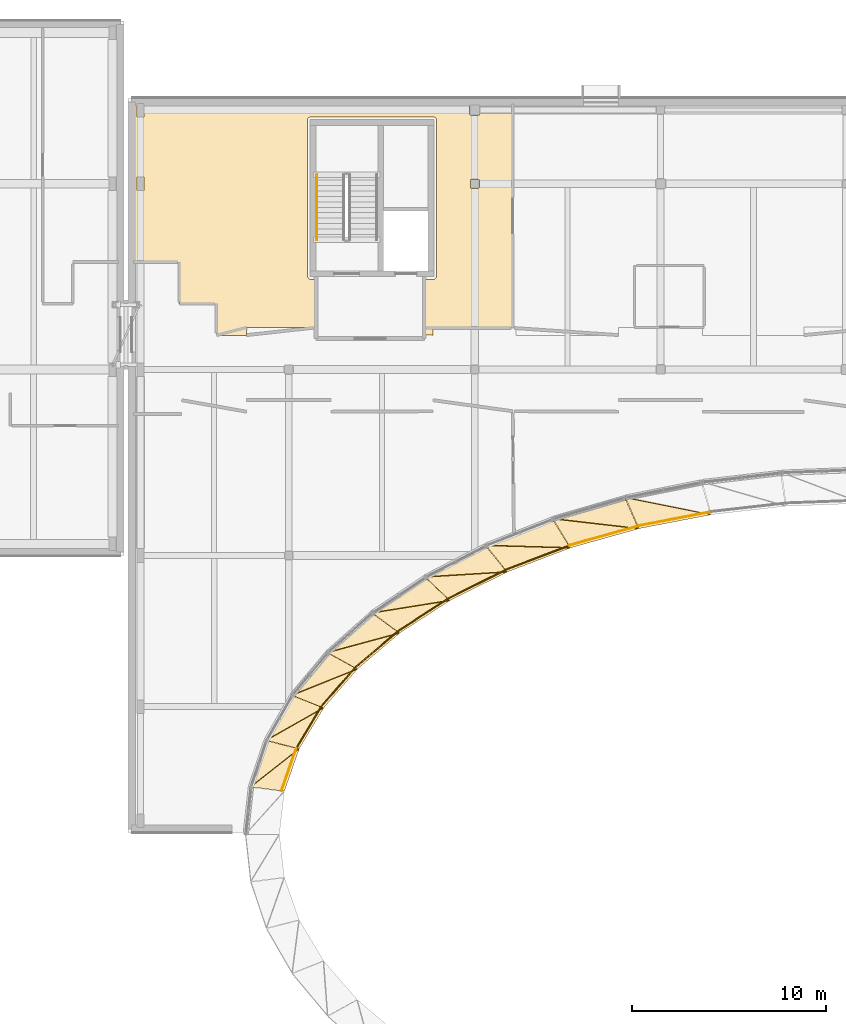
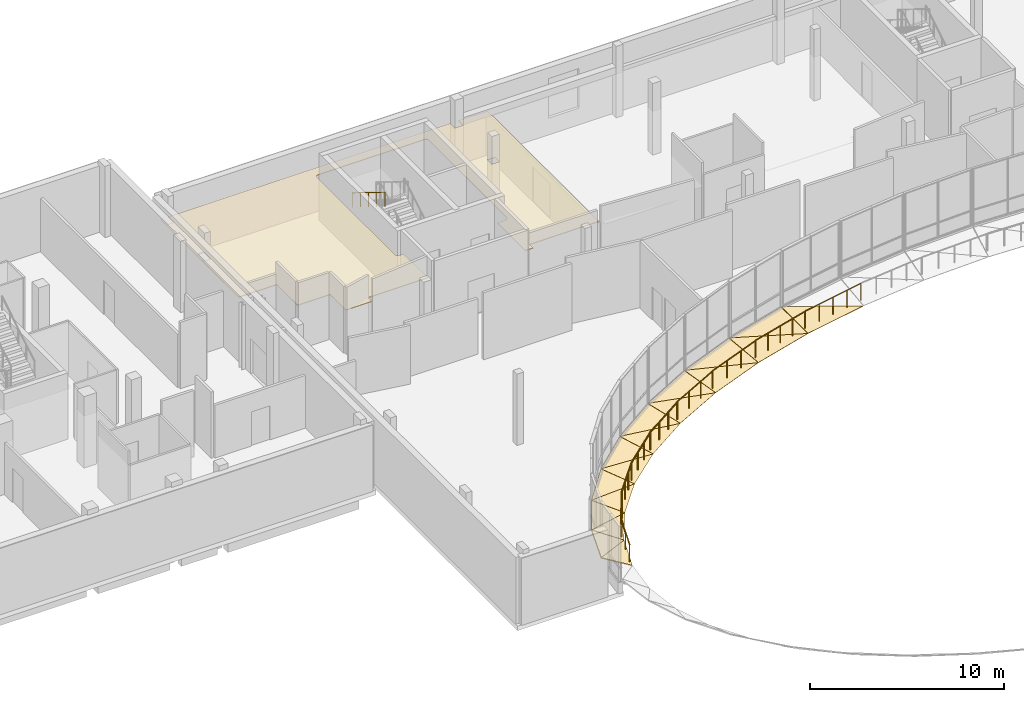
# One storey, part 33 of 41: 18 coverings, 10 railings.
"""IFC4 building model written with IfcOpenShell, lengths in metres."""

import ifcopenshell
import ifcopenshell.guid

model = None  # the IFC model being written
_history = None  # IfcOwnerHistory: only IFC2X3 demands one
_inside = {}  # id of a spatial element -> (the spatial element, [elements in it])
_under = {}  # id of a project, library or spatial element -> (it, [spatial elements below it])
_declared = {}  # id of a project -> (the project, [libraries it declares])
_typed = {}  # id of a type object -> (the type object, [elements of that type])
_made_of = {}  # id of a material, layer set ... -> (it, [elements and type objects made of it])


def new_model(schema):
    """Start an empty IFC model of exactly this schema.

    Asked for "IFC4X3", IfcOpenShell would pick the latest addendum, in which some entities
    have other attributes; the version numbers below select the first issue.
    IFC2X3 requires an IfcOwnerHistory on every rooted entity: one is made here for all.
    """
    global model, _history
    if schema == "IFC4X3":
        model = ifcopenshell.file(schema_version=(4, 3, 0, 0))
    else:
        model = ifcopenshell.file(schema=schema)
    _inside.clear()
    _under.clear()
    _declared.clear()
    _typed.clear()
    _made_of.clear()
    _history = None
    if model.schema == "IFC2X3":
        org = make("IfcOrganization", Name="unknown")
        user = make(
            "IfcPersonAndOrganization",
            ThePerson=make("IfcPerson", FamilyName="unknown"),
            TheOrganization=org,
        )
        app = make(
            "IfcApplication",
            ApplicationDeveloper=org,
            Version="unknown",
            ApplicationFullName="unknown",
            ApplicationIdentifier="unknown",
        )
        _history = make(
            "IfcOwnerHistory",
            OwningUser=user,
            OwningApplication=app,
            ChangeAction="ADDED",
            CreationDate=0,
        )
    return model


def make(cls, **values):
    """One entity of the class cls with the attributes given. An attribute that is None is left unset."""
    return model.create_entity(
        cls, **{name: value for name, value in values.items() if value is not None}
    )


def rooted(cls, **values):
    """An entity with a GlobalId (a new one), such as an element, a storey or a relation."""
    return make(cls, GlobalId=ifcopenshell.guid.new(), OwnerHistory=_history, **values)


def si_unit(unit_type, name, prefix=None):
    """IfcSIUnit, for example si_unit("LENGTHUNIT", "METRE", prefix="MILLI")."""
    return make("IfcSIUnit", UnitType=unit_type, Prefix=prefix, Name=name)


def assignment(units):
    """IfcUnitAssignment: the units of a project."""
    return None if units is None else make("IfcUnitAssignment", Units=units)


def point(xyz):
    """IfcCartesianPoint."""
    return None if xyz is None else make("IfcCartesianPoint", Coordinates=xyz)


def direction(xyz):
    """IfcDirection."""
    return None if xyz is None else make("IfcDirection", DirectionRatios=xyz)


def frame(location, z_axis=None, x_axis=None):
    """IfcAxis2Placement3D, a coordinate frame: its origin and axes. An axis left out is left unset."""
    return make(
        "IfcAxis2Placement3D",
        Location=point(location),
        Axis=direction(z_axis),
        RefDirection=direction(x_axis),
    )


def frame_2d(location, x_axis=None):
    """IfcAxis2Placement2D, a coordinate frame in the plane: its origin and x axis."""
    return make(
        "IfcAxis2Placement2D", Location=point(location), RefDirection=direction(x_axis)
    )


def origin():
    """The frame at (0, 0, 0) with its axes left unset."""
    return frame((0.0, 0.0, 0.0))


def origin_2d():
    """The frame at (0, 0) in the plane with its x axis left unset."""
    return frame_2d((0.0, 0.0))


def place(relative_to, where):
    """IfcLocalPlacement: puts the frame where relative to a parent placement (None: the world)."""
    return make(
        "IfcLocalPlacement", PlacementRelTo=relative_to, RelativePlacement=where
    )


def context(
    kind, dimensions, precision=None, world=None, true_north=None, identifier=None
):
    """IfcGeometricRepresentationContext, for example the 3D "Model" context."""
    return make(
        "IfcGeometricRepresentationContext",
        ContextIdentifier=identifier,
        ContextType=kind,
        CoordinateSpaceDimension=dimensions,
        Precision=precision,
        WorldCoordinateSystem=world,
        TrueNorth=true_north,
    )


def subcontext(parent, identifier, kind, view, scale=None):
    """IfcGeometricRepresentationSubContext, for example "Body" below "Model"."""
    return make(
        "IfcGeometricRepresentationSubContext",
        ContextIdentifier=identifier,
        ContextType=kind,
        ParentContext=parent,
        TargetScale=scale,
        TargetView=view,
    )


def project(units=None, contexts=None):
    """IfcProject with its units and contexts."""
    return rooted(
        "IfcProject",
        Name="project",
        RepresentationContexts=contexts,
        UnitsInContext=assignment(units),
    )


def spatial(cls, under=None, at=None, **own):
    """A site, building, storey or space (cls), placed at a placement, below another one or the project."""
    s = rooted(cls, ObjectPlacement=at, **own)
    if under is not None:
        _under.setdefault(under.id(), (under, []))[1].append(s)
    return s


def polyline(points):
    """IfcPolyline through the points."""
    return make("IfcPolyline", Points=[point(p) for p in points])


def profile(cls, at=None, kind="AREA", **sizes):
    """A parametric profile (cls). Its sizes go by their IFC names, for example OverallWidth=200.0."""
    return make(cls, ProfileType=kind, Position=at, **sizes)


def circle(**sizes):
    """IfcCircleProfileDef."""
    return profile("IfcCircleProfileDef", **sizes)


def outline(outer, holes=None, kind="AREA"):
    """IfcArbitraryClosedProfileDef: a profile drawn as a closed curve; with holes, ...WithVoids."""
    if holes is None:
        return make("IfcArbitraryClosedProfileDef", ProfileType=kind, OuterCurve=outer)
    return make(
        "IfcArbitraryProfileDefWithVoids",
        ProfileType=kind,
        OuterCurve=outer,
        InnerCurves=holes,
    )


def extrude(swept, where, along, depth):
    """IfcExtrudedAreaSolid: the profile swept, set in the frame where, extruded along a direction by depth."""
    return make(
        "IfcExtrudedAreaSolid",
        SweptArea=swept,
        Position=where,
        ExtrudedDirection=direction(along),
        Depth=depth,
    )


def shape(context_of_items, identifier, shape_type, items):
    """IfcShapeRepresentation: the items that make up one representation, for example the "Body"."""
    return make(
        "IfcShapeRepresentation",
        ContextOfItems=context_of_items,
        RepresentationIdentifier=identifier,
        RepresentationType=shape_type,
        Items=items,
    )


def material(Name=None, Category=None):
    """IfcMaterial."""
    return make("IfcMaterial", Name=Name, Category=Category)


def layer(
    of_material, thickness, ventilated=None, Name=None, Category=None, Priority=None
):
    """IfcMaterialLayer: one layer of a wall or slab, of a material (None: an air gap)."""
    return make(
        "IfcMaterialLayer",
        Material=of_material,
        LayerThickness=thickness,
        IsVentilated=ventilated,
        Name=Name,
        Category=Category,
        Priority=Priority,
    )


def layer_set(layers, Name=None):
    """IfcMaterialLayerSet."""
    return make("IfcMaterialLayerSet", MaterialLayers=layers, LayerSetName=Name)


def made_of(thing, what):
    """Note that an element or type object is made of a material, layer set ...; save() writes the relation."""
    if what is not None:
        _made_of.setdefault(what.id(), (what, []))[1].append(thing)
    return thing


def type_object(cls, material=None, **own):
    """A type object (cls), such as IfcWallType, which elements share."""
    return made_of(rooted(cls, **own), material)


def element(
    cls,
    number,
    at=None,
    inside=None,
    cuts=None,
    type_object=None,
    material=None,
    context=None,
    identifier="Body",
    shape_type=None,
    held_by="IfcProductDefinitionShape",
    body=None,
    shapes=None,
    **own,
):
    """One element of the class cls, such as IfcWall. Its Tag is "e" and its number.

    at: its placement. inside: the storey or other place that contains it. cuts: it is an
    opening in that element (IfcRelVoidsElement). A single representation is given by context,
    identifier, shape_type and body (its items); several are given by shapes. held_by: the class
    of the entity that holds the representations. save() writes the other relations.
    """
    e = rooted(cls, Tag="e%d" % number, ObjectPlacement=at, **own)
    if body is not None:
        shapes = [shape(context, identifier, shape_type, body)]
    if shapes is not None:
        e.Representation = make(held_by, Representations=shapes)
    if inside is not None:
        _inside.setdefault(inside.id(), (inside, []))[1].append(e)
    if cuts is not None:
        rooted(
            "IfcRelVoidsElement", RelatingBuildingElement=cuts, RelatedOpeningElement=e
        )
    if type_object is not None:
        _typed.setdefault(type_object.id(), (type_object, []))[1].append(e)
    return made_of(e, material)


def aggregate(whole, parts):
    """IfcRelAggregates: a whole, such as a stair, and the parts it consists of."""
    return rooted("IfcRelAggregates", RelatingObject=whole, RelatedObjects=parts)


def save(model, path):
    """Write the relations noted so far, then the file.

    IfcRelAggregates (storeys below a building ...), IfcRelContainedInSpatialStructure (elements
    in a storey), IfcRelDefinesByType, IfcRelAssociatesMaterial and IfcRelDeclares: one each for
    every whole, place, type object, material and project.
    """
    for whole, parts in _under.values():
        aggregate(whole, parts)
    for where, things in _inside.values():
        rooted(
            "IfcRelContainedInSpatialStructure",
            RelatedElements=things,
            RelatingStructure=where,
        )
    for kind, things in _typed.values():
        rooted("IfcRelDefinesByType", RelatedObjects=things, RelatingType=kind)
    for what, things in _made_of.values():
        rooted("IfcRelAssociatesMaterial", RelatedObjects=things, RelatingMaterial=what)
    for by, libraries in _declared.values():
        rooted("IfcRelDeclares", RelatingContext=by, RelatedDefinitions=libraries)
    model.write(path)


model = new_model("IFC4")

# Units and contexts
model_context = context("Model", 3, precision=1e-05, world=origin(), true_north=direction((0.0, 1.0)))
body_context = subcontext(model_context, "Body", "Model", "MODEL_VIEW")
ifc_project = project(units=[si_unit("LENGTHUNIT", "METRE"), si_unit("AREAUNIT", "SQUARE_METRE"), si_unit("VOLUMEUNIT", "CUBIC_METRE"), si_unit("PLANEANGLEUNIT", "RADIAN"), si_unit("MASSUNIT", "GRAM", prefix="KILO")], contexts=[model_context])

# Site, building, storey
site_placement = place(None, origin())
site = spatial("IfcSite", under=ifc_project, at=site_placement, CompositionType="ELEMENT")
building_placement = place(site_placement, origin())
building = spatial("IfcBuilding", under=site, at=building_placement, Name="Mzevani Central Library", CompositionType="ELEMENT")
storey_placement = place(building_placement, frame((0.0, 0.0, 13.800048828125)))
storey = spatial("IfcBuildingStorey", under=building, at=storey_placement, Name="L03", CompositionType="ELEMENT", Elevation=13.800048828125)

# Coverings
ifc_material_1 = material(Name="Limestone ashlar cladding", Category="masonry")
ifc_layer_1 = layer(ifc_material_1, 0.050048828125, Name="Limestone Ashlar Spandrel Cladding")
ifc_layer_set_1 = layer_set([ifc_layer_1], Name="Limestone ashlar cladding")
covering_type_1 = type_object("IfcCoveringType", Name="Limestone Ashlar Spandrel Cladding", PredefinedType="CLADDING", material=ifc_layer_set_1)
covering_1_placement = place(storey_placement, frame((76.1943359375, 92.501220703125, -0.280029296875), z_axis=(0.092995480464, -0.483068673264, 0.870629942929), x_axis=(-0.981969613273, -0.189038828311, 0.0)))
element("IfcCovering", 1, at=covering_1_placement, inside=storey, type_object=covering_type_1, Name="L03 Curved Court Spandrel Apron 15A", PredefinedType="CLADDING", context=body_context, shape_type="SweptSolid", body=[
    extrude(outline(polyline([(0.0, 0.0), (3.784048164297047, 1.1102230246251565e-16), (4.153878148929162, -1.9513839806363862), (0.0, 0.0)])), origin(), (0.0, 0.0, -1.0), 0.06005859375),
])
covering_2_placement = place(storey_placement, frame((72.467041015625, 91.777587890625, -0.280029296875), z_axis=(0.133824118944, -0.478593028702, 0.867778668824), x_axis=(-0.963059013097, -0.269290432977, 0.0)))
element("IfcCovering", 2, at=covering_2_placement, inside=storey, type_object=covering_type_1, Name="L03 Curved Court Spandrel Apron 16A", PredefinedType="CLADDING", context=body_context, shape_type="SweptSolid", body=[
    extrude(outline(polyline([(0.0, 0.0), (3.6545333174156096, 1.1102230246251565e-16), (4.111864521082761, -1.9317018377535362), (0.0, 0.0)])), origin(), (0.0, 0.0, -1.0), 0.06005859375),
])
covering_3_placement = place(storey_placement, frame((72.467041015625, 91.777587890625, -0.280029296875), z_axis=(0.136101685911, -0.468503286982, 0.872915231382), x_axis=(-0.971026041643, 0.111617747993, 0.211305240785)))
element("IfcCovering", 3, at=covering_3_placement, inside=storey, type_object=covering_type_1, Name="L03 Curved Court Spandrel Apron 16B", PredefinedType="CLADDING", context=body_context, shape_type="SweptSolid", body=[
    extrude(outline(polyline([(0.0, 0.0), (4.54300581440521, -5.551115123125783e-17), (1.0635835658908388, -1.671952262969131), (0.0, 0.0)])), origin(), (0.0, 0.0, -1.0), 0.06005859375),
])
covering_4_placement = place(storey_placement, frame((68.93896484375, 90.784912109375, -0.280029296875), z_axis=(0.177819896106, -0.469270357733, 0.864965557639), x_axis=(-0.93511588963, -0.354342028217, 0.0)))
element("IfcCovering", 4, at=covering_4_placement, inside=storey, type_object=covering_type_1, Name="L03 Curved Court Spandrel Apron 17A", PredefinedType="CLADDING", context=body_context, shape_type="SweptSolid", body=[
    extrude(outline(polyline([(0.0, 0.0), (3.4890812450952597, 0.0), (4.017907647982616, -1.912915894403973), (0.0, 0.0)])), origin(), (0.0, 0.0, -1.0), 0.06005859375),
])
covering_5_placement = place(storey_placement, frame((68.93896484375, 90.784912109375, -0.280029296875), z_axis=(0.179619288638, -0.456408073312, 0.871451996248), x_axis=(-0.976060622172, 0.027760478603, 0.215719766533)))
element("IfcCovering", 5, at=covering_5_placement, inside=storey, type_object=covering_type_1, Name="L03 Curved Court Spandrel Apron 17B", PredefinedType="CLADDING", context=body_context, shape_type="SweptSolid", body=[
    extrude(outline(polyline([(0.0, 0.0), (4.450036975889139, 5.551115123125783e-17), (1.1330906070274336, -1.6243768305829496), (0.0, 0.0)])), origin(), (0.0, 0.0, -1.0), 0.06005859375),
])
covering_6_placement = place(storey_placement, frame((65.669921875, 89.540283203125, -0.280029296875), z_axis=(0.225244777908, -0.452925647424, 0.862625728767), x_axis=(-0.89538829801, -0.44528619537, 0.0)))
element("IfcCovering", 6, at=covering_6_placement, inside=storey, type_object=covering_type_1, Name="L03 Curved Court Spandrel Apron 18A", PredefinedType="CLADDING", context=body_context, shape_type="SweptSolid", body=[
    extrude(outline(polyline([(0.0, 0.0), (3.2951507850640365, -2.220446049250313e-16), (3.8757100888285034, -1.8977458990736256), (0.0, 0.0)])), origin(), (0.0, 0.0, -1.0), 0.06005859375),
])
covering_7_placement = place(storey_placement, frame((65.669921875, 89.540283203125, -0.280029296875), z_axis=(0.226047363578, -0.437620819922, 0.870281912595), x_axis=(-0.973080371655, -0.060251778826, 0.222450698916)))
element("IfcCovering", 7, at=covering_7_placement, inside=storey, type_object=covering_type_1, Name="L03 Curved Court Spandrel Apron 18B", PredefinedType="CLADDING", context=body_context, shape_type="SweptSolid", body=[
    extrude(outline(polyline([(0.0, 0.0), (4.3153873742802995, 0.0), (1.19466093468567, -1.579683702653388), (0.0, 0.0)])), origin(), (0.0, 0.0, -1.0), 0.06005859375),
])
covering_8_placement = place(storey_placement, frame((62.715087890625, 88.065185546875, -0.280029296875), z_axis=(0.275849885352, -0.426595226172, 0.861349727903), x_axis=(-0.839733807204, -0.54299828088, 0.0)))
element("IfcCovering", 8, at=covering_8_placement, inside=storey, type_object=covering_type_1, Name="L03 Curved Court Spandrel Apron 19A", PredefinedType="CLADDING", context=body_context, shape_type="SweptSolid", body=[
    extrude(outline(polyline([(0.0, 0.0), (3.081217311430392, -2.220446049250313e-16), (3.689706456503497, -1.8896405851684765), (0.0, 0.0)])), origin(), (0.0, 0.0, -1.0), 0.06005859375),
])
covering_9_placement = place(storey_placement, frame((62.715087890625, 88.065185546875, -0.280029296875), z_axis=(0.275171194504, -0.409765401554, 0.869697148095), x_axis=(-0.960616351152, -0.153594963142, 0.231570320197)))
element("IfcCovering", 9, at=covering_9_placement, inside=storey, type_object=covering_type_1, Name="L03 Curved Court Spandrel Apron 19B", PredefinedType="CLADDING", context=body_context, shape_type="SweptSolid", body=[
    extrude(outline(polyline([(0.0, 0.0), (4.145440299447026, -2.220446049250313e-16), (1.246069600487182, -1.5403077123592852), (0.0, 0.0)])), origin(), (0.0, 0.0, -1.0), 0.06005859375),
])
covering_10_placement = place(storey_placement, frame((60.12451171875, 86.384765625, -0.280029296875), z_axis=(0.328525694464, -0.387087274253, 0.861530214322), x_axis=(-0.762423614177, -0.647078227531, 0.0)))
element("IfcCovering", 10, at=covering_10_placement, inside=storey, type_object=covering_type_1, Name="L03 Curved Court Spandrel Apron 20A", PredefinedType="CLADDING", context=body_context, shape_type="SweptSolid", body=[
    extrude(outline(polyline([(0.0, 0.0), (2.8595333889310774, 0.0), (3.465876366433205, -1.8907800284863971), (0.0, 0.0)])), origin(), (0.0, 0.0, -1.0), 0.06005859375),
])
covering_11_placement = place(storey_placement, frame((60.12451171875, 86.384765625, -0.280029296875), z_axis=(0.326060553156, -0.369865600939, 0.86999077749), x_axis=(-0.936285923985, -0.253473086481, 0.243146176151)))
element("IfcCovering", 11, at=covering_11_placement, inside=storey, type_object=covering_type_1, Name="L03 Curved Court Spandrel Apron 20B", PredefinedType="CLADDING", context=body_context, shape_type="SweptSolid", body=[
    extrude(outline(polyline([(0.0, 0.0), (3.9480815725518204, -1.6653345369377348e-16), (1.2848725310217974, -1.5096230852805221), (0.0, 0.0)])), origin(), (0.0, 0.0, -1.0), 0.06005859375),
])
covering_12_placement = place(storey_placement, frame((57.942138671875, 84.527587890625, -0.280029296875), z_axis=(0.380547871111, -0.330965844841, 0.863507340641), x_axis=(-0.65624041915, -0.754551861884, 0.0)))
element("IfcCovering", 12, at=covering_12_placement, inside=storey, type_object=covering_type_1, Name="L03 Curved Court Spandrel Apron 21A", PredefinedType="CLADDING", context=body_context, shape_type="SweptSolid", body=[
    extrude(outline(polyline([(0.0, 0.0), (2.6447558737265093, 0.0), (3.2129109989684634, -1.9034144393220773), (0.0, 0.0)])), origin(), (0.0, 0.0, -1.0), 0.06005859375),
])
covering_13_placement = place(storey_placement, frame((57.942138671875, 84.527587890625, -0.280029296875), z_axis=(0.376391218483, -0.315118229427, 0.871223365235), x_axis=(-0.896697723733, -0.360352716041, 0.257058577553)))
element("IfcCovering", 13, at=covering_13_placement, inside=storey, type_object=covering_type_1, Name="L03 Curved Court Spandrel Apron 21B", PredefinedType="CLADDING", context=body_context, shape_type="SweptSolid", body=[
    extrude(outline(polyline([(0.0, 0.0), (3.73440538976586, -5.551115123125783e-17), (1.3082659250236328, -1.4912980849864867), (0.0, 0.0)])), origin(), (0.0, 0.0, -1.0), 0.06005859375),
])
covering_14_placement = place(storey_placement, frame((56.205078125, 82.525390625, -0.280029296875), z_axis=(0.427544322201, -0.255951976922, 0.867003136133), x_axis=(-0.513647601464, -0.858001247965, 0.0)))
element("IfcCovering", 14, at=covering_14_placement, inside=storey, type_object=covering_type_1, Name="L03 Curved Court Spandrel Apron 22A", PredefinedType="CLADDING", context=body_context, shape_type="SweptSolid", body=[
    extrude(outline(polyline([(0.0, 0.0), (2.455914533191977, -2.220446049250313e-16), (2.9422135235032267, -1.926461514290156), (0.0, 0.0)])), origin(), (0.0, 0.0, -1.0), 0.06005859375),
])
covering_15_placement = place(storey_placement, frame((56.205078125, 82.525390625, -0.280029296875), z_axis=(0.422453485896, -0.243459903659, 0.873075213005), x_axis=(-0.837220448311, -0.473869550595, 0.272964411506)))
element("IfcCovering", 15, at=covering_15_placement, inside=storey, type_object=covering_type_1, Name="L03 Curved Court Spandrel Apron 22B", PredefinedType="CLADDING", context=body_context, shape_type="SweptSolid", body=[
    extrude(outline(polyline([(0.0, 0.0), (3.516798883064881, -2.220446049250313e-16), (1.3119883737934643, -1.489625753502651), (0.0, 0.0)])), origin(), (0.0, 0.0, -1.0), 0.06005859375),
])
covering_16_placement = place(storey_placement, frame((54.942626953125, 80.412109375, -0.280029296875), z_axis=(0.463445207937, -0.16251685983, 0.871095178216), x_axis=(-0.330914578924, -0.943660713104, 0.0)))
element("IfcCovering", 16, at=covering_16_placement, inside=storey, type_object=covering_type_1, Name="L03 Curved Court Spandrel Apron 23A", PredefinedType="CLADDING", context=body_context, shape_type="SweptSolid", body=[
    extrude(outline(polyline([(0.0, 0.0), (2.3129257763854043, 0.0), (2.671992277308063, -1.9546591642730662), (0.0, 0.0)])), origin(), (0.0, 0.0, -1.0), 0.06005859375),
])
covering_17_placement = place(storey_placement, frame((54.942626953125, 80.412109375, -0.280029296875), z_axis=(0.458980776327, -0.155011605747, 0.874818866421), x_axis=(-0.752415965286, -0.59143154382, 0.289963694551)))
element("IfcCovering", 17, at=covering_17_placement, inside=storey, type_object=covering_type_1, Name="L03 Curved Court Spandrel Apron 23B", PredefinedType="CLADDING", context=body_context, shape_type="SweptSolid", body=[
    extrude(outline(polyline([(0.0, 0.0), (3.3106245903863236, -3.3306690738754696e-16), (1.291720676348902, -1.5084399826414083), (0.0, 0.0)])), origin(), (0.0, 0.0, -1.0), 0.06005859375),
])
ifc_material_2 = material(Name="Mineral wool acoustic ceiling")
ifc_layer_2 = layer(ifc_material_2, 0.0400390625, Name="Perforated Timber Acoustic Ceiling")
ifc_layer_set_2 = layer_set([ifc_layer_2], Name="Mineral wool acoustic ceiling")
covering_type_2 = type_object("IfcCoveringType", Name="Perforated Timber Acoustic Ceiling", PredefinedType="CEILING", material=ifc_layer_set_2)
covering_18_placement = place(storey_placement, frame((0.0, 0.0, 2.72998046875)))
element("IfcCovering", 18, at=covering_18_placement, inside=storey, type_object=covering_type_2, Name="L03 Sunlit Court Overlook Reading Room Acoustic Ceiling", PredefinedType="CEILING", context=body_context, shape_type="SweptSolid", body=[
    extrude(outline(polyline([(61.856201171875, 101.772216796875), (61.39013671875, 101.778076171875), (61.389892578125, 104.64990234375), (61.9248046875, 104.662841796875), (62.039306640625, 104.789306640625), (62.0400390625, 112.897705078125), (61.98779296875, 113.008056640625), (61.898193359375, 113.0400390625), (55.501953125, 113.0400390625), (55.401611328125, 112.998291015625), (55.360107421875, 112.89794921875), (55.360107421875, 104.80322265625), (55.461669921875, 104.66650390625), (55.809814453125, 104.65185546875), (55.80908203125, 102.171142578125), (52.235107421875, 102.1650390625), (52.227783203125, 101.7705078125), (50.679931640625, 101.77001953125), (50.669921875, 103.389892578125), (48.7412109375, 103.395263671875), (48.739990234375, 105.5400390625), (46.470458984375, 105.547119140625), (46.472412109375, 113.626220703125), (46.574951171875, 113.6298828125), (46.574951171875, 113.050048828125), (46.925048828125, 113.050048828125), (46.925048828125, 113.6298828125), (63.75, 113.6298828125), (63.75, 113.14990234375), (64.25, 113.14990234375), (64.25, 113.6298828125), (65.97119140625, 113.627685546875), (65.974609375, 102.147216796875), (61.860107421875, 102.139892578125), (61.856201171875, 101.772216796875)]), holes=[polyline([(46.925048828125, 109.25), (46.925048828125, 109.949951171875), (46.574951171875, 109.949951171875), (46.574951171875, 109.25), (46.925048828125, 109.25)]), polyline([(63.77490234375, 109.824951171875), (63.77490234375, 109.375), (64.22509765625, 109.375), (64.22509765625, 109.824951171875), (63.77490234375, 109.824951171875)])]), origin(), (0.0, 0.0, 1.0), 0.0400390625),
])

# Railings
ifc_material_3 = material(Name="Brushed stainless steel rail", Category="steel")
railing_type_1 = type_object("IfcRailingType", Name="Stair Wall Handrail 920", PredefinedType="HANDRAIL", material=ifc_material_3)
railing_1_placement = place(storey_placement, frame((55.85009765625, 110.06005859375, 2.423095703125)))
element("IfcRailing", 19, at=railing_1_placement, inside=storey, type_object=railing_type_1, Name="L03 ST-05 stair handrail 2", PredefinedType="HANDRAIL", context=body_context, shape_type="SweptSolid", body=[
    extrude(circle(Radius=0.02392578125, at=origin_2d()), frame((0.0, 0.0, 0.89599609375), z_axis=(0.0, -0.850623216509, 0.525775754039), x_axis=(1.0, 0.0, 0.0)), (0.0, 0.0, 1.0), 3.9501953125),
    extrude(circle(Radius=0.02099609375, at=origin_2d()), origin(), (0.0, 0.0, 1.0), 0.871826171875),
    extrude(circle(Radius=0.02099609375, at=origin_2d()), frame((0.0, -0.840087890625, 0.519287109375)), (0.0, 0.0, 1.0), 0.871826171875),
    extrude(circle(Radius=0.02099609375, at=origin_2d()), frame((0.0, -1.68017578125, 1.03857421875)), (0.0, 0.0, 1.0), 0.871826171875),
    extrude(circle(Radius=0.02099609375, at=origin_2d()), frame((0.0, -2.52001953125, 1.5576171875)), (0.0, 0.0, 1.0), 0.871826171875),
    extrude(circle(Radius=0.02099609375, at=origin_2d()), frame((0.0, -3.360107421875, 2.076904296875)), (0.0, 0.0, 1.0), 0.871826171875),
])
ifc_material_4 = material(Name="Anodized architectural bronze")
railing_type_2 = type_object("IfcRailingType", Name="Terrace and Court Balustrade 1100", PredefinedType="BALUSTRADE", material=ifc_material_4)
railing_2_placement = place(storey_placement, frame((76.1123046875, 92.638671875, 0.0)))
element("IfcRailing", 20, at=railing_2_placement, inside=storey, type_object=railing_type_2, Name="L03 Elliptical Court Terrace Guard 15", PredefinedType="BALUSTRADE", context=body_context, shape_type="SweptSolid", body=[
    extrude(circle(Radius=0.02392578125, at=origin_2d()), frame((0.0, 0.0, 1.076171875), z_axis=(-0.981959941756, -0.189089060462, 0.0), x_axis=(0.189089060462, -0.981959941756, 0.0)), (0.0, 0.0, 1.0), 3.784423828125),
    extrude(circle(Radius=0.02099609375, at=origin_2d()), origin(), (0.0, 0.0, 1.0), 1.052001953125),
    extrude(circle(Radius=0.02099609375, at=origin_2d()), frame((-0.928955078125, -0.178955078125, 0.0)), (0.0, 0.0, 1.0), 1.052001953125),
    extrude(circle(Radius=0.02099609375, at=origin_2d()), frame((-1.85791015625, -0.35791015625, 0.0)), (0.0, 0.0, 1.0), 1.052001953125),
    extrude(circle(Radius=0.02099609375, at=origin_2d()), frame((-2.787109375, -0.53662109375, 0.0)), (0.0, 0.0, 1.0), 1.052001953125),
    extrude(circle(Radius=0.02099609375, at=origin_2d()), frame((-3.716064453125, -0.715576171875, 0.0)), (0.0, 0.0, 1.0), 1.052001953125),
])
railing_3_placement = place(storey_placement, frame((72.362060546875, 91.8984375, 0.0)))
element("IfcRailing", 21, at=railing_3_placement, inside=storey, type_object=railing_type_2, Name="L03 Elliptical Court Terrace Guard 16", PredefinedType="BALUSTRADE", context=body_context, shape_type="SweptSolid", body=[
    extrude(circle(Radius=0.02392578125, at=origin_2d()), frame((0.0, 0.0, 1.076171875), z_axis=(-0.963059013097, -0.269290432977, 0.0), x_axis=(0.269290432977, -0.963059013097, 0.0)), (0.0, 0.0, 1.0), 3.654541015625),
    extrude(circle(Radius=0.02099609375, at=origin_2d()), origin(), (0.0, 0.0, 1.0), 1.052001953125),
    extrude(circle(Radius=0.02099609375, at=origin_2d()), frame((-0.8798828125, -0.24609375, 0.0)), (0.0, 0.0, 1.0), 1.052001953125),
    extrude(circle(Radius=0.02099609375, at=origin_2d()), frame((-1.759765625, -0.4921875, 0.0)), (0.0, 0.0, 1.0), 1.052001953125),
    extrude(circle(Radius=0.02099609375, at=origin_2d()), frame((-2.6396484375, -0.738037109375, 0.0)), (0.0, 0.0, 1.0), 1.052001953125),
    extrude(circle(Radius=0.02099609375, at=origin_2d()), frame((-3.51953125, -0.984130859375, 0.0)), (0.0, 0.0, 1.0), 1.052001953125),
])
railing_4_placement = place(storey_placement, frame((68.81689453125, 90.888427734375, 0.0)))
element("IfcRailing", 22, at=railing_4_placement, inside=storey, type_object=railing_type_2, Name="L03 Elliptical Court Terrace Guard 17", PredefinedType="BALUSTRADE", context=body_context, shape_type="SweptSolid", body=[
    extrude(circle(Radius=0.02392578125, at=origin_2d()), frame((0.0, 0.0, 1.076171875), z_axis=(-0.93511588963, -0.354342028217, 0.0), x_axis=(0.354342028217, -0.93511588963, 0.0)), (0.0, 0.0, 1.0), 3.489013671875),
    extrude(circle(Radius=0.02099609375, at=origin_2d()), origin(), (0.0, 0.0, 1.0), 1.052001953125),
    extrude(circle(Radius=0.02099609375, at=origin_2d()), frame((-1.087646484375, -0.412109375, 0.0)), (0.0, 0.0, 1.0), 1.052001953125),
    extrude(circle(Radius=0.02099609375, at=origin_2d()), frame((-2.175048828125, -0.82421875, 0.0)), (0.0, 0.0, 1.0), 1.052001953125),
    extrude(circle(Radius=0.02099609375, at=origin_2d()), frame((-3.2626953125, -1.236328125, 0.0)), (0.0, 0.0, 1.0), 1.052001953125),
])
railing_5_placement = place(storey_placement, frame((65.53564453125, 89.627197265625, 0.0)))
element("IfcRailing", 23, at=railing_5_placement, inside=storey, type_object=railing_type_2, Name="L03 Elliptical Court Terrace Guard 18", PredefinedType="BALUSTRADE", context=body_context, shape_type="SweptSolid", body=[
    extrude(circle(Radius=0.02392578125, at=origin_2d()), frame((0.0, 0.0, 1.076171875), z_axis=(-0.89538829801, -0.44528619537, 0.0), x_axis=(0.44528619537, -0.89538829801, 0.0)), (0.0, 0.0, 1.0), 3.295166015625),
    extrude(circle(Radius=0.02099609375, at=origin_2d()), origin(), (0.0, 0.0, 1.0), 1.052001953125),
    extrude(circle(Radius=0.02099609375, at=origin_2d()), frame((-0.9833984375, -0.489013671875, 0.0)), (0.0, 0.0, 1.0), 1.052001953125),
    extrude(circle(Radius=0.02099609375, at=origin_2d()), frame((-1.967041015625, -0.978271484375, 0.0)), (0.0, 0.0, 1.0), 1.052001953125),
    extrude(circle(Radius=0.02099609375, at=origin_2d()), frame((-2.950439453125, -1.46728515625, 0.0)), (0.0, 0.0, 1.0), 1.052001953125),
])
railing_6_placement = place(storey_placement, frame((62.572021484375, 88.136474609375, 0.0)))
element("IfcRailing", 24, at=railing_6_placement, inside=storey, type_object=railing_type_2, Name="L03 Elliptical Court Terrace Guard 19", PredefinedType="BALUSTRADE", context=body_context, shape_type="SweptSolid", body=[
    extrude(circle(Radius=0.02392578125, at=origin_2d()), frame((0.0, 0.0, 1.076171875), z_axis=(-0.839733807204, -0.54299828088, 0.0), x_axis=(0.54299828088, -0.839733807204, 0.0)), (0.0, 0.0, 1.0), 3.081298828125),
    extrude(circle(Radius=0.02099609375, at=origin_2d()), origin(), (0.0, 0.0, 1.0), 1.052001953125),
    extrude(circle(Radius=0.02099609375, at=origin_2d()), frame((-0.862548828125, -0.5576171875, 0.0)), (0.0, 0.0, 1.0), 1.052001953125),
    extrude(circle(Radius=0.02099609375, at=origin_2d()), frame((-1.724853515625, -1.115478515625, 0.0)), (0.0, 0.0, 1.0), 1.052001953125),
    extrude(circle(Radius=0.02099609375, at=origin_2d()), frame((-2.58740234375, -1.673095703125, 0.0)), (0.0, 0.0, 1.0), 1.052001953125),
])
railing_7_placement = place(storey_placement, frame((59.97509765625, 86.44140625, 0.0)))
element("IfcRailing", 25, at=railing_7_placement, inside=storey, type_object=railing_type_2, Name="L03 Elliptical Court Terrace Guard 20", PredefinedType="BALUSTRADE", context=body_context, shape_type="SweptSolid", body=[
    extrude(circle(Radius=0.02392578125, at=origin_2d()), frame((0.0, 0.0, 1.076171875), z_axis=(-0.762465735824, -0.647028594186, 0.0), x_axis=(0.647028594186, -0.762465735824, 0.0)), (0.0, 0.0, 1.0), 2.859375),
    extrude(circle(Radius=0.02099609375, at=origin_2d()), origin(), (0.0, 0.0, 1.0), 1.052001953125),
    extrude(circle(Radius=0.02099609375, at=origin_2d()), frame((-0.726806640625, -0.61669921875, 0.0)), (0.0, 0.0, 1.0), 1.052001953125),
    extrude(circle(Radius=0.02099609375, at=origin_2d()), frame((-1.453369140625, -1.2333984375, 0.0)), (0.0, 0.0, 1.0), 1.052001953125),
    extrude(circle(Radius=0.02099609375, at=origin_2d()), frame((-2.18017578125, -1.85009765625, 0.0)), (0.0, 0.0, 1.0), 1.052001953125),
])
railing_8_placement = place(storey_placement, frame((57.7880859375, 84.57080078125, 0.0)))
element("IfcRailing", 26, at=railing_8_placement, inside=storey, type_object=railing_type_2, Name="L03 Elliptical Court Terrace Guard 21", PredefinedType="BALUSTRADE", context=body_context, shape_type="SweptSolid", body=[
    extrude(circle(Radius=0.02392578125, at=origin_2d()), frame((0.0, 0.0, 1.076171875), z_axis=(-0.656194711624, -0.754591611693, 0.0), x_axis=(0.754591611693, -0.656194711624, 0.0)), (0.0, 0.0, 1.0), 2.64501953125),
    extrude(circle(Radius=0.02099609375, at=origin_2d()), origin(), (0.0, 0.0, 1.0), 1.052001953125),
    extrude(circle(Radius=0.02099609375, at=origin_2d()), frame((-0.57861328125, -0.665283203125, 0.0)), (0.0, 0.0, 1.0), 1.052001953125),
    extrude(circle(Radius=0.02099609375, at=origin_2d()), frame((-1.156982421875, -1.33056640625, 0.0)), (0.0, 0.0, 1.0), 1.052001953125),
    extrude(circle(Radius=0.02099609375, at=origin_2d()), frame((-1.735595703125, -1.995849609375, 0.0)), (0.0, 0.0, 1.0), 1.052001953125),
])
railing_9_placement = place(storey_placement, frame((56.0478515625, 82.5556640625, 0.0)))
element("IfcRailing", 27, at=railing_9_placement, inside=storey, type_object=railing_type_2, Name="L03 Elliptical Court Terrace Guard 22", PredefinedType="BALUSTRADE", context=body_context, shape_type="SweptSolid", body=[
    extrude(circle(Radius=0.02392578125, at=origin_2d()), frame((0.0, 0.0, 1.076171875), z_axis=(-0.513574414134, -0.85804505776, 0.0), x_axis=(0.85804505776, -0.513574414134, 0.0)), (0.0, 0.0, 1.0), 2.455810546875),
    extrude(circle(Radius=0.02099609375, at=origin_2d()), origin(), (0.0, 0.0, 1.0), 1.052001953125),
    extrude(circle(Radius=0.02099609375, at=origin_2d()), frame((-0.42041015625, -0.702392578125, 0.0)), (0.0, 0.0, 1.0), 1.052001953125),
    extrude(circle(Radius=0.02099609375, at=origin_2d()), frame((-0.8408203125, -1.40478515625, 0.0)), (0.0, 0.0, 1.0), 1.052001953125),
    extrude(circle(Radius=0.02099609375, at=origin_2d()), frame((-1.26123046875, -2.107177734375, 0.0)), (0.0, 0.0, 1.0), 1.052001953125),
])
railing_10_placement = place(storey_placement, frame((54.78369140625, 80.429931640625, 0.0)))
element("IfcRailing", 28, at=railing_10_placement, inside=storey, type_object=railing_type_2, Name="L03 Elliptical Court Terrace Guard 23", PredefinedType="BALUSTRADE", context=body_context, shape_type="SweptSolid", body=[
    extrude(circle(Radius=0.02392578125, at=origin_2d()), frame((0.0, 0.0, 1.076171875), z_axis=(-0.330947543746, -0.943649152646, 0.0), x_axis=(0.943649152646, -0.330947543746, 0.0)), (0.0, 0.0, 1.0), 2.312744140625),
    extrude(circle(Radius=0.02099609375, at=origin_2d()), origin(), (0.0, 0.0, 1.0), 1.052001953125),
    extrude(circle(Radius=0.02099609375, at=origin_2d()), frame((-0.3828125, -1.09130859375, 0.0)), (0.0, 0.0, 1.0), 1.052001953125),
    extrude(circle(Radius=0.02099609375, at=origin_2d()), frame((-0.765380859375, -2.182373046875, 0.0)), (0.0, 0.0, 1.0), 1.052001953125),
])

save(model, "model.ifc")
